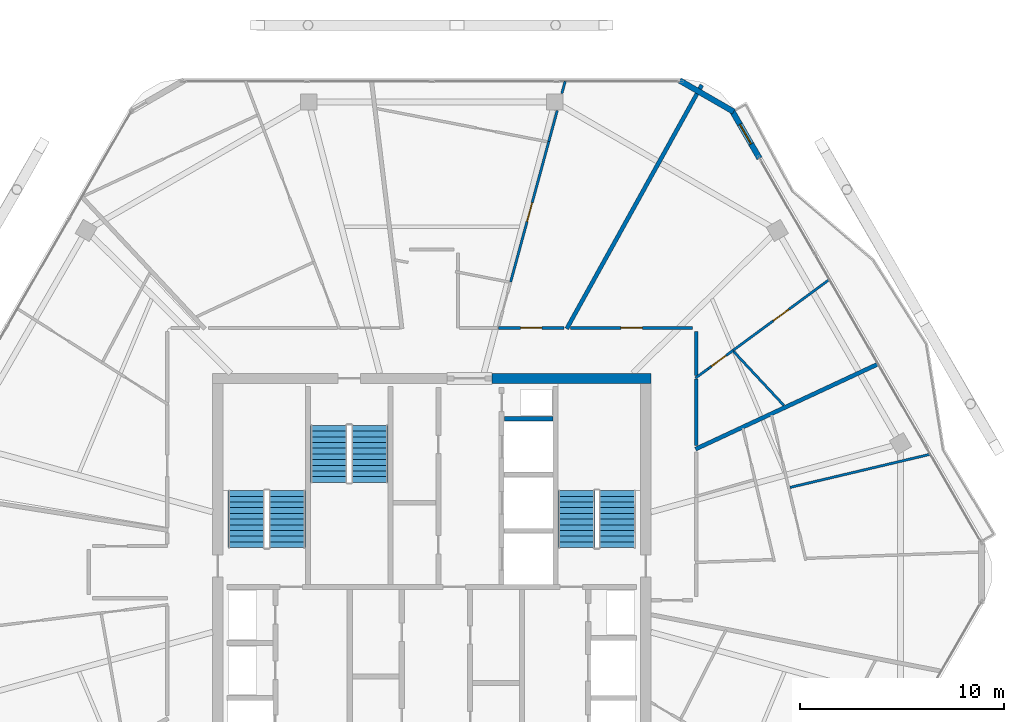
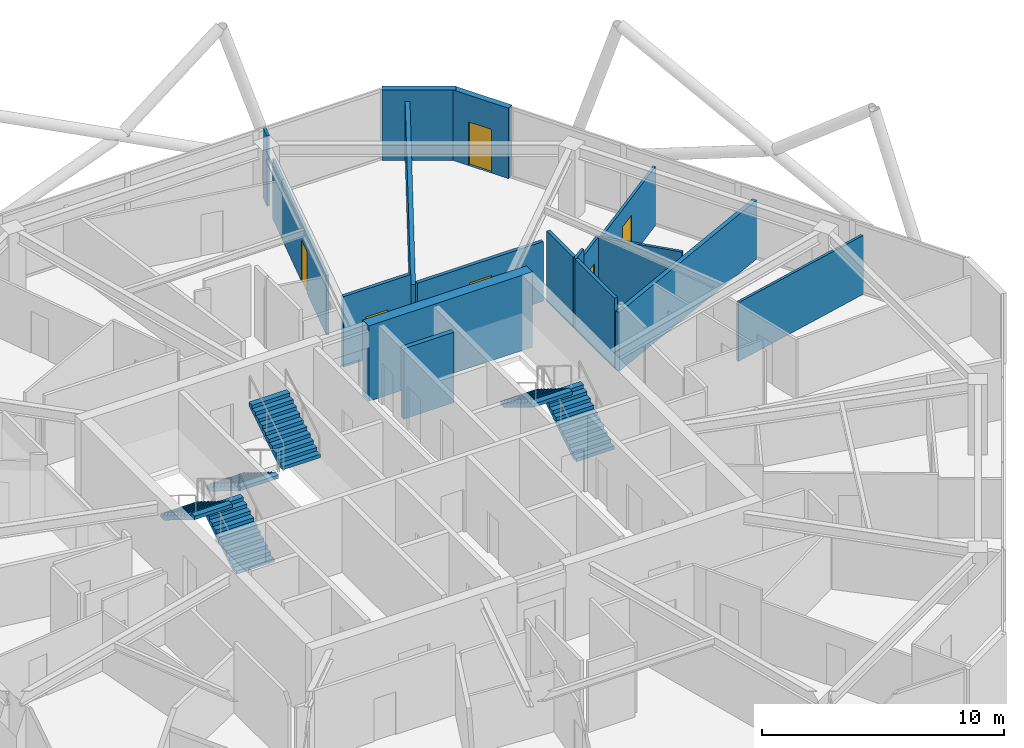
# One storey, part 20 of 23: 18 walls, 6 doors, 6 stair flights, 6 openings, 3 elements without a shape of their own.
"""IFC4 building model written with IfcOpenShell, lengths in metres."""

from ifc_helpers import new_model, si_unit, direction, frame, frame_2d, origin, place, context, subcontext, project, spatial, polyline, rectangle, outline, extrude, material, layer, layer_set, type_object, element, fill, aggregate, save


model = new_model("IFC4")

# Units and contexts
model_context = context("Model", 3, precision=1e-05, world=origin(), true_north=direction((0.0, 1.0)))
body_context = subcontext(model_context, "Body", "Model", "MODEL_VIEW")
ifc_project = project(units=[si_unit("LENGTHUNIT", "METRE"), si_unit("AREAUNIT", "SQUARE_METRE"), si_unit("VOLUMEUNIT", "CUBIC_METRE"), si_unit("PLANEANGLEUNIT", "RADIAN"), si_unit("MASSUNIT", "GRAM", prefix="KILO")], contexts=[model_context])

# Site, building, storey
site_placement = place(None, origin())
site = spatial("IfcSite", under=ifc_project, at=site_placement, CompositionType="ELEMENT")
building_placement = place(site_placement, origin())
building = spatial("IfcBuilding", under=site, at=building_placement, Name="Zuhravey Tower", CompositionType="ELEMENT")
storey_placement = place(building_placement, frame((0.0, 0.0, 331.0)))
storey = spatial("IfcBuildingStorey", under=building, at=storey_placement, Name="L84", CompositionType="ELEMENT", Elevation=331.0)

# Wall
ifc_material_1 = material(Name="Concrete C50/60", Category="concrete")
ifc_layer_1 = layer(ifc_material_1, 0.5)
ifc_layer_set_1 = layer_set([ifc_layer_1], Name="Concrete C50/60")
wall_type_1 = type_object("IfcWallType", Name="Core Shear Wall 500", PredefinedType="SHEAR", material=ifc_layer_set_1)
wall_1_placement = place(storey_placement, frame((46.75, 41.5, 0.0), z_axis=(0.0, 0.0, 1.0), x_axis=(-1.0, 0.0, 0.0)))
element("IfcWall", 1, at=wall_1_placement, inside=storey, type_object=wall_type_1, Name="L84 North-East Core Shear Wall CW50", PredefinedType="SHEAR", context=body_context, shape_type="SweptSolid", body=[
    extrude(rectangle(XDim=7.800048828125, YDim=0.5, at=frame_2d((3.89990234375, 0.0))), origin(), (0.0, 0.0, 1.0), 3.800048828125),
])

# Wall, opening, door
ifc_material_2 = material(Name="Gypsum fire-rated stud partition")
ifc_layer_2 = layer(ifc_material_2, 0.159912109375)
ifc_layer_set_2 = layer_set([ifc_layer_2], Name="Gypsum fire-rated stud partition")
wall_type_2 = type_object("IfcWallType", Name="Corridor Fire Partition 160", PredefinedType="PARTITIONING", material=ifc_layer_set_2)
wall_2_placement = place(storey_placement, frame((48.800048828125, 43.97998046875, 0.0), z_axis=(0.0, 0.0, 1.0), x_axis=(-1.0, 0.0, 0.0)))
wall_2 = element("IfcWall", 2, at=wall_2_placement, inside=storey, type_object=wall_type_2, Name="L84 IW16 Partition 050", PredefinedType="PARTITIONING", context=body_context, shape_type="SweptSolid", body=[
    extrude(rectangle(XDim=5.999267578125, YDim=0.159912109375, at=frame_2d((2.99951171875, 0.0))), origin(), (0.0, 0.0, 1.0), 3.0),
])
opening_1_placement = place(wall_2_placement, frame((2.474609375, 0.0, 0.0)))
opening_1 = element("IfcOpeningElement", 3, at=opening_1_placement, cuts=wall_2, Name="Opening APD1", PredefinedType="OPENING", context=body_context, shape_type="SweptSolid", body=[
    extrude(rectangle(XDim=1.050048828125, YDim=2.14990234375, at=frame_2d((0.52490234375, 1.074951171875))), frame((0.0, 0.092041015625, 0.0), z_axis=(0.0, -1.0, 0.0), x_axis=(1.0, 0.0, 0.0)), (0.0, 0.0, 1.0), 0.183837890625),
])
ifc_material_3 = material(Name="Solid-core oak fire-rated leaf")
door_type_1 = type_object("IfcDoorType", Name="Apartment Entrance Fire Door 1050x2150", OperationType="NOTDEFINED", PredefinedType="DOOR", material=ifc_material_3)
door_1_placement = place(opening_1_placement, frame((1.050048828125, 0.0, 0.0), z_axis=(0.0, 0.0, 1.0), x_axis=(-1.0, 0.0, 0.0)))
door_1 = element("IfcDoor", 4, at=door_1_placement, inside=storey, type_object=door_type_1, Name="L84 Door 050.1", OperationType="SINGLE_SWING_LEFT", OverallHeight=2.14990234375, OverallWidth=1.050048828125, PredefinedType="DOOR", context=body_context, shape_type="SweptSolid", body=[
    extrude(rectangle(XDim=1.050048828125, YDim=2.14990234375, at=frame_2d((0.52490234375, 1.074951171875))), frame((0.0, 0.02490234375, 0.0), z_axis=(0.0, -1.0, 0.0), x_axis=(1.0, 0.0, 0.0)), (0.0, 0.0, 1.0), 0.050048828125),
])
fill(opening_1, door_1)

wall_3_placement = place(storey_placement, frame((42.48193359375, 43.97998046875, 0.0), z_axis=(0.0, 0.0, 1.0), x_axis=(-1.0, 0.0, 0.0)))
wall_3 = element("IfcWall", 5, at=wall_3_placement, inside=storey, type_object=wall_type_2, Name="L84 IW16 Partition 054", PredefinedType="PARTITIONING", context=body_context, shape_type="SweptSolid", body=[
    extrude(rectangle(XDim=3.206298828125, YDim=0.159912109375, at=frame_2d((1.60302734375, 0.0))), origin(), (0.0, 0.0, 1.0), 3.550048828125),
])
opening_2_placement = place(wall_3_placement, frame((1.078125, 0.0, 0.0)))
opening_2 = element("IfcOpeningElement", 6, at=opening_2_placement, cuts=wall_3, Name="Opening APD1", PredefinedType="OPENING", context=body_context, shape_type="SweptSolid", body=[
    extrude(rectangle(XDim=1.050048828125, YDim=2.14990234375, at=frame_2d((0.52490234375, 1.074951171875))), frame((0.0, 0.092041015625, 0.0), z_axis=(0.0, -1.0, 0.0), x_axis=(1.0, 0.0, 0.0)), (0.0, 0.0, 1.0), 0.183837890625),
])
door_2_placement = place(opening_2_placement, frame((1.050048828125, 0.0, 0.0), z_axis=(0.0, 0.0, 1.0), x_axis=(-1.0, 0.0, 0.0)))
door_2 = element("IfcDoor", 7, at=door_2_placement, inside=storey, type_object=door_type_1, Name="L84 Door 054.1", OperationType="SINGLE_SWING_LEFT", OverallHeight=2.14990234375, OverallWidth=1.050048828125, PredefinedType="DOOR", context=body_context, shape_type="SweptSolid", body=[
    extrude(rectangle(XDim=1.050048828125, YDim=2.14990234375, at=frame_2d((0.52490234375, 1.074951171875))), frame((0.0, 0.02490234375, 0.0), z_axis=(0.0, -1.0, 0.0), x_axis=(1.0, 0.0, 0.0)), (0.0, 0.0, 1.0), 0.050048828125),
])
fill(opening_2, door_2)

# Walls
wall_4_placement = place(storey_placement, frame((48.97998046875, 41.63671875, 0.0), z_axis=(0.0, 0.0, 1.0), x_axis=(0.0, 1.0, 0.0)))
element("IfcWall", 8, at=wall_4_placement, inside=storey, type_object=wall_type_2, Name="L84 IW16 Partition 121", PredefinedType="PARTITIONING", context=body_context, shape_type="SweptSolid", body=[
    extrude(rectangle(XDim=2.163330078125, YDim=0.159912109375, at=frame_2d((1.08154296875, 0.0))), origin(), (0.0, 0.0, 1.0), 3.550048828125),
])
wall_5_placement = place(storey_placement, frame((48.97998046875, 38.21337890625, 0.0), z_axis=(0.0, 0.0, 1.0), x_axis=(0.0, 1.0, 0.0)))
element("IfcWall", 9, at=wall_5_placement, inside=storey, type_object=wall_type_2, Name="L84 IW16 Partition 122", PredefinedType="PARTITIONING", context=body_context, shape_type="SweptSolid", body=[
    extrude(rectangle(XDim=3.25439453125, YDim=0.159912109375, at=frame_2d((1.627197265625, 0.0))), origin(), (0.0, 0.0, 1.0), 3.550048828125),
])
ifc_material_4 = material(Name="Precast concrete C40/50", Category="concrete")
ifc_layer_3 = layer(ifc_material_4, 0.280029296875)
ifc_layer_set_3 = layer_set([ifc_layer_3], Name="Precast concrete C40/50")
wall_type_3 = type_object("IfcWallType", Name="Crown Architectural Wall 280", PredefinedType="SOLIDWALL", material=ifc_layer_set_3)
wall_6_placement = place(storey_placement, frame((48.156982421875, 56.12158203125, 0.0), z_axis=(0.0, 0.0, 1.0), x_axis=(0.866023752521, -0.50000286006, 0.0)))
element("IfcWall", 10, at=wall_6_placement, inside=storey, type_object=wall_type_3, Name="L84 Rounded Corner Closure Wall EW28-10", PredefinedType="SOLIDWALL", context=body_context, shape_type="SweptSolid", body=[
    extrude(rectangle(XDim=3.06494140625, YDim=0.280029296875, at=frame_2d((1.532470703125, 0.0))), origin(), (0.0, 0.0, 1.0), 3.550048828125),
])

# Wall, opening, door
wall_7_placement = place(storey_placement, frame((50.70654296875, 54.675537109375, 0.0), z_axis=(0.0, 0.0, 1.0), x_axis=(0.500031070095, -0.866007464714, 0.0)))
wall_7 = element("IfcWall", 11, at=wall_7_placement, inside=storey, type_object=wall_type_3, Name="L84 Face 1 Facade Pier EW28-1", PredefinedType="SOLIDWALL", context=body_context, shape_type="SweptSolid", body=[
    extrude(rectangle(XDim=2.739013671875, YDim=0.280029296875, at=frame_2d((1.36962890625, 0.0))), origin(), (0.0, 0.0, 1.0), 3.550048828125),
])
opening_3_placement = place(wall_7_placement, frame((0.819580078125, 0.0, 0.0)))
opening_3 = element("IfcOpeningElement", 12, at=opening_3_placement, cuts=wall_7, Name="Opening BLD1", PredefinedType="OPENING", context=body_context, shape_type="SweptSolid", body=[
    extrude(rectangle(XDim=1.10009765625, YDim=2.199951171875, at=frame_2d((0.550048828125, 1.10009765625))), frame((0.0, 0.152099609375, 0.0), z_axis=(0.0, -1.0, 0.0), x_axis=(1.0, 0.0, 0.0)), (0.0, 0.0, 1.0), 0.303955078125),
])
ifc_material_5 = material(Name="Thermally broken aluminium and low-E glass", Category="aluminium")
door_type_2 = type_object("IfcDoorType", Name="Balcony & Sky-Tray Glazed Door 1100x2200", OperationType="NOTDEFINED", PredefinedType="DOOR", material=ifc_material_5)
door_3_placement = place(opening_3_placement, frame((1.10009765625, 0.0, 0.0), z_axis=(0.0, 0.0, 1.0), x_axis=(-1.0, 0.0, 0.0)))
door_3 = element("IfcDoor", 13, at=door_3_placement, inside=storey, type_object=door_type_2, Name="L84 Face 1 Wave Balcony Door", OperationType="SINGLE_SWING_RIGHT", OverallHeight=2.199951171875, OverallWidth=1.10009765625, PredefinedType="DOOR", context=body_context, shape_type="SweptSolid", body=[
    extrude(rectangle(XDim=1.10009765625, YDim=2.199951171875, at=frame_2d((0.550048828125, 1.10009765625))), frame((0.0, 0.02490234375, 0.0), z_axis=(0.0, -1.0, 0.0), x_axis=(1.0, 0.0, 0.0)), (0.0, 0.0, 1.0), 0.050048828125),
])
fill(opening_3, door_3)

# Walls
ifc_material_6 = material(Name="Gypsum double-stud party assembly")
ifc_layer_4 = layer(ifc_material_6, 0.199951171875)
ifc_layer_set_4 = layer_set([ifc_layer_4], Name="Gypsum double-stud party assembly")
wall_type_4 = type_object("IfcWallType", Name="Inter-Tenancy Party Wall 200", PredefinedType="PARTITIONING", material=ifc_layer_set_4)
wall_8_placement = place(storey_placement, frame((48.93994140625, 38.033935546875, 0.0), z_axis=(0.0, 0.0, 1.0), x_axis=(0.906309881833, 0.422613769406, 0.0)))
element("IfcWall", 14, at=wall_8_placement, inside=storey, type_object=wall_type_4, Name="L84 IW20 Partition 091", PredefinedType="PARTITIONING", context=body_context, shape_type="SweptSolid", body=[
    extrude(rectangle(XDim=9.888427734375, YDim=0.199951171875, at=frame_2d((4.9443359375, 0.0))), origin(), (0.0, 0.0, 1.0), 2.969970703125),
])
wall_9_placement = place(storey_placement, frame((42.618408203125, 43.93994140625, 0.0), z_axis=(0.0, 0.0, 1.0), x_axis=(0.484817892783, 0.874615121546, 0.0)))
element("IfcWall", 15, at=wall_9_placement, inside=storey, type_object=wall_type_4, Name="L84 IW20 Partition 094", PredefinedType="PARTITIONING", context=body_context, shape_type="SweptSolid", body=[
    extrude(rectangle(XDim=13.67138671875, YDim=0.199951171875, at=frame_2d((6.835693359375, 0.0))), origin(), (0.0, 0.0, 1.0), 2.969970703125),
])
ifc_material_7 = material(Name="Gypsum acoustic stud assembly")
ifc_layer_5 = layer(ifc_material_7, 0.219970703125)
ifc_layer_set_5 = layer_set([ifc_layer_5], Name="Gypsum acoustic stud assembly")
wall_type_5 = type_object("IfcWallType", Name="School Acoustic Compartment Wall 220", PredefinedType="PARTITIONING", material=ifc_layer_set_5)
wall_10_placement = place(storey_placement, frame((39.55810546875, 39.52490234375, 0.0), z_axis=(0.0, 0.0, 1.0), x_axis=(1.0, 0.0, 0.0)))
element("IfcWall", 16, at=wall_10_placement, inside=storey, type_object=wall_type_5, Name="L84 IW22 Partition 062", PredefinedType="PARTITIONING", context=body_context, shape_type="SweptSolid", body=[
    extrude(rectangle(XDim=2.3837890625, YDim=0.219970703125, at=frame_2d((1.19189453125, 0.0))), origin(), (0.0, 0.0, 1.0), 3.550048828125),
])

# Wall, opening, door
ifc_material_8 = material(Name="Gypsum metal-stud partition")
ifc_layer_6 = layer(ifc_material_8, 0.1201171875)
ifc_layer_set_6 = layer_set([ifc_layer_6], Name="Gypsum metal-stud partition")
wall_type_6 = type_object("IfcWallType", Name="Unit Internal Partition 120", PredefinedType="PARTITIONING", material=ifc_layer_set_6)
wall_11_placement = place(storey_placement, frame((49.550048828125, 41.9716796875, 0.0), z_axis=(0.0, 0.0, 1.0), x_axis=(0.805387500531, 0.592748660047, 0.0)))
wall_11 = element("IfcWall", 17, at=wall_11_placement, inside=storey, type_object=wall_type_6, Name="L84 IW12 Partition 048", PredefinedType="PARTITIONING", context=body_context, shape_type="SweptSolid", body=[
    extrude(rectangle(XDim=1.53515625, YDim=0.1201171875, at=frame_2d((0.767578125, 0.0))), origin(), (0.0, 0.0, 1.0), 3.199951171875),
])
opening_4_placement = place(wall_11_placement, frame((0.199951171875, 0.0, 0.0)))
opening_4 = element("IfcOpeningElement", 18, at=opening_4_placement, cuts=wall_11, Name="Opening WCD1", PredefinedType="OPENING", context=body_context, shape_type="SweptSolid", body=[
    extrude(rectangle(XDim=0.89990234375, YDim=2.10009765625, at=frame_2d((0.449951171875, 1.050048828125))), frame((0.0, 0.072021484375, 0.0), z_axis=(0.0, -1.0, 0.0), x_axis=(1.0, 0.0, 0.0)), (0.0, 0.0, 1.0), 0.14404296875),
])
ifc_material_9 = material(Name="Moisture-resistant timber leaf", Category="wood")
door_type_3 = type_object("IfcDoorType", Name="Bathroom & WC Internal Door 900x2100", OperationType="NOTDEFINED", PredefinedType="DOOR", material=ifc_material_9)
door_4_placement = place(opening_4_placement, frame((0.89990234375, 0.0, 0.0), z_axis=(0.0, 0.0, 1.0), x_axis=(-1.0, 0.0, 0.0)))
door_4 = element("IfcDoor", 19, at=door_4_placement, inside=storey, type_object=door_type_3, Name="Apartment L84-08 Bathroom Door", OperationType="SINGLE_SWING_LEFT", OverallHeight=2.10009765625, OverallWidth=0.89990234375, PredefinedType="DOOR", context=body_context, shape_type="SweptSolid", body=[
    extrude(rectangle(XDim=0.89990234375, YDim=2.10009765625, at=frame_2d((0.449951171875, 1.050048828125))), frame((0.0, 0.02490234375, 0.0), z_axis=(0.0, -1.0, 0.0), x_axis=(1.0, 0.0, 0.0)), (0.0, 0.0, 1.0), 0.050048828125),
])
fill(opening_4, door_4)

wall_12_placement = place(storey_placement, frame((50.786376953125, 42.881591796875, 0.0), z_axis=(0.0, 0.0, 1.0), x_axis=(0.805413284852, 0.592713624429, 0.0)))
wall_12 = element("IfcWall", 20, at=wall_12_placement, inside=storey, type_object=wall_type_6, Name="L84 IW12 Partition 049", PredefinedType="PARTITIONING", context=body_context, shape_type="SweptSolid", body=[
    extrude(rectangle(XDim=5.868896484375, YDim=0.1201171875, at=frame_2d((2.9345703125, 0.0))), origin(), (0.0, 0.0, 1.0), 2.969970703125),
])
opening_5_placement = place(wall_12_placement, frame((2.434326171875, 0.0, 0.0)))
opening_5 = element("IfcOpeningElement", 21, at=opening_5_placement, cuts=wall_12, Name="Opening IND1", PredefinedType="OPENING", context=body_context, shape_type="SweptSolid", body=[
    extrude(rectangle(XDim=0.949951171875, YDim=2.10009765625, at=frame_2d((0.47509765625, 1.050048828125))), frame((0.0, 0.072021484375, 0.0), z_axis=(0.0, -1.0, 0.0), x_axis=(1.0, 0.0, 0.0)), (0.0, 0.0, 1.0), 0.14404296875),
])
ifc_material_10 = material(Name="Painted engineered timber leaf", Category="wood")
door_type_4 = type_object("IfcDoorType", Name="Internal Room & Bedroom Door 950x2100", OperationType="NOTDEFINED", PredefinedType="DOOR", material=ifc_material_10)
door_5_placement = place(opening_5_placement, frame((0.949951171875, 0.0, 0.0), z_axis=(0.0, 0.0, 1.0), x_axis=(-1.0, 0.0, 0.0)))
door_5 = element("IfcDoor", 22, at=door_5_placement, inside=storey, type_object=door_type_4, Name="Apartment L84-08 Bedroom 1 Door", OperationType="SINGLE_SWING_RIGHT", OverallHeight=2.10009765625, OverallWidth=0.949951171875, PredefinedType="DOOR", context=body_context, shape_type="SweptSolid", body=[
    extrude(rectangle(XDim=0.949951171875, YDim=2.10009765625, at=frame_2d((0.47509765625, 1.050048828125))), frame((0.0, 0.02490234375, 0.0), z_axis=(0.0, -1.0, 0.0), x_axis=(1.0, 0.0, 0.0)), (0.0, 0.0, 1.0), 0.050048828125),
])
fill(opening_5, door_5)

wall_13_placement = place(storey_placement, frame((39.868896484375, 46.239501953125, 0.0), z_axis=(0.0, 0.0, 1.0), x_axis=(0.262173652668, 0.965020712652, 0.0)))
wall_13 = element("IfcWall", 23, at=wall_13_placement, inside=storey, type_object=wall_type_6, Name="L84 IW12 Partition 052", PredefinedType="PARTITIONING", context=body_context, shape_type="SweptSolid", body=[
    extrude(rectangle(XDim=7.136962890625, YDim=0.1201171875, at=frame_2d((3.568359375, 0.0))), origin(), (0.0, 0.0, 1.0), 3.0),
])
opening_6_placement = place(wall_13_placement, frame((3.068359375, 0.0, 0.0)))
opening_6 = element("IfcOpeningElement", 24, at=opening_6_placement, cuts=wall_13, Name="Opening IND1", PredefinedType="OPENING", context=body_context, shape_type="SweptSolid", body=[
    extrude(rectangle(XDim=0.949951171875, YDim=2.10009765625, at=frame_2d((0.47509765625, 1.050048828125))), frame((0.0, 0.072021484375, 0.0), z_axis=(0.0, -1.0, 0.0), x_axis=(1.0, 0.0, 0.0)), (0.0, 0.0, 1.0), 0.14404296875),
])
door_6_placement = place(opening_6_placement, origin())
door_6 = element("IfcDoor", 25, at=door_6_placement, inside=storey, type_object=door_type_4, Name="Apartment L84-09 Home Office Door", OperationType="SINGLE_SWING_LEFT", OverallHeight=2.10009765625, OverallWidth=0.949951171875, PredefinedType="DOOR", context=body_context, shape_type="SweptSolid", body=[
    extrude(rectangle(XDim=0.949951171875, YDim=2.10009765625, at=frame_2d((0.47509765625, 1.050048828125))), frame((0.0, 0.02490234375, 0.0), z_axis=(0.0, -1.0, 0.0), x_axis=(1.0, 0.0, 0.0)), (0.0, 0.0, 1.0), 0.050048828125),
])
fill(opening_6, door_6)

# Walls
wall_14_placement = place(storey_placement, frame((53.575439453125, 36.154541015625, 0.0), z_axis=(0.0, 0.0, 1.0), x_axis=(0.973178020357, 0.23005334315, 0.0)))
element("IfcWall", 26, at=wall_14_placement, inside=storey, type_object=wall_type_6, Name="L84 IW12 Partition 088", PredefinedType="PARTITIONING", context=body_context, shape_type="SweptSolid", body=[
    extrude(rectangle(XDim=7.084716796875, YDim=0.1201171875, at=frame_2d((3.54248046875, 0.0))), origin(), (0.0, 0.0, 1.0), 2.969970703125),
])
wall_15_placement = place(storey_placement, frame((48.93505859375, 41.51904296875, 0.0), z_axis=(0.0, 0.0, 1.0), x_axis=(0.805377162159, 0.592762706885, 0.0)))
element("IfcWall", 27, at=wall_15_placement, inside=storey, type_object=wall_type_6, Name="L84 IW12 Partition 092", PredefinedType="PARTITIONING", context=body_context, shape_type="SweptSolid", body=[
    extrude(rectangle(XDim=0.763671875, YDim=0.1201171875, at=frame_2d((0.3818359375, 0.0))), origin(), (0.0, 0.0, 1.0), 3.550048828125),
])
wall_16_placement = place(storey_placement, frame((53.27587890625, 40.175048828125, 0.0), z_axis=(0.0, 0.0, 1.0), x_axis=(-0.681968956902, 0.731381119405, 0.0)))
element("IfcWall", 28, at=wall_16_placement, inside=storey, type_object=wall_type_6, Name="L84 IW12 Partition 093", PredefinedType="PARTITIONING", context=body_context, shape_type="SweptSolid", body=[
    extrude(rectangle(XDim=3.61181640625, YDim=0.1201171875, at=frame_2d((1.805908203125, 0.0))), origin(), (0.0, 0.0, 1.0), 3.199951171875),
])
wall_17_placement = place(storey_placement, frame((41.739990234375, 53.126708984375, 0.0), z_axis=(0.0, 0.0, 1.0), x_axis=(0.262250179099, 0.964999918944, 0.0)))
element("IfcWall", 29, at=wall_17_placement, inside=storey, type_object=wall_type_6, Name="L84 IW12 Partition 096", PredefinedType="PARTITIONING", context=body_context, shape_type="SweptSolid", body=[
    extrude(rectangle(XDim=1.572265625, YDim=0.1201171875, at=frame_2d((0.7861328125, 0.0))), origin(), (0.0, 0.0, 1.0), 3.0),
])
wall_18_placement = place(storey_placement, frame((42.380615234375, 55.484130859375, 0.0), z_axis=(0.0, 0.0, 1.0), x_axis=(0.262177554605, 0.965019652578, 0.0)))
element("IfcWall", 30, at=wall_18_placement, inside=storey, type_object=wall_type_6, Name="L84 IW12 Partition 097", PredefinedType="PARTITIONING", context=body_context, shape_type="SweptSolid", body=[
    extrude(rectangle(XDim=0.615478515625, YDim=0.1201171875, at=frame_2d((0.3076171875, 0.0))), origin(), (0.0, 0.0, 1.0), 3.550048828125),
])

# Stair, stair flights
ifc_material_11 = material(Name="Concrete C40/50", Category="concrete")
stair_type = type_object("IfcStairType", Name="Housing Storey Stair Assembly 3800", PredefinedType="HALF_TURN_STAIR", material=ifc_material_11)
stair_1_placement = place(storey_placement, origin())
stair_1 = element("IfcStair", 31, at=stair_1_placement, inside=storey, type_object=stair_type, Name="L84 Core Exit Stair ST1", PredefinedType="HALF_TURN_STAIR")
stair_flight_type = type_object("IfcStairFlightType", Name="Housing Storey Stair Flight 3800", PredefinedType="STRAIGHT", material=ifc_material_11)
stair_flight_1_placement = place(storey_placement, frame((28.89990234375, 33.199951171875, 0.0), z_axis=(0.0, 0.0, 1.0), x_axis=(0.0, 1.0, 0.0)))
stair_flight_1 = element("IfcStairFlight", 32, at=stair_flight_1_placement, type_object=stair_flight_type, Name="ST1 flight 1", NumberOfRisers=11, NumberOfTreads=10, PredefinedType="STRAIGHT", RiserHeight=0.172727273, TreadLength=0.28, context=body_context, shape_type="SweptSolid", body=[
    extrude(outline(polyline([(0.0, 0.0), (0.0, 0.172607421875), (0.280029296875, 0.172607421875), (0.280029296875, 0.345458984375), (0.56005859375, 0.345458984375), (0.56005859375, 0.51806640625), (0.840087890625, 0.51806640625), (0.840087890625, 0.69091796875), (1.1201171875, 0.69091796875), (1.1201171875, 0.863525390625), (1.39990234375, 0.863525390625), (1.39990234375, 1.036376953125), (1.679931640625, 1.036376953125), (1.679931640625, 1.208984375), (1.9599609375, 1.208984375), (1.9599609375, 1.3818359375), (2.239990234375, 1.3818359375), (2.239990234375, 1.554443359375), (2.52001953125, 1.554443359375), (2.52001953125, 1.727294921875), (2.800048828125, 1.727294921875), (2.800048828125, 1.89990234375), (2.800048828125, 1.551025390625), (0.285400390625, 0.0), (0.0, 0.0)])), frame((0.0, 0.89990234375, 0.0), z_axis=(0.0, -1.0, 0.0), x_axis=(1.0, 0.0, 0.0)), (0.0, 0.0, 1.0), 1.800048828125),
])
stair_flight_2_placement = place(storey_placement, frame((26.89990234375, 36.0, 1.89990234375), z_axis=(0.0, 0.0, 1.0), x_axis=(0.0, -1.0, 0.0)))
stair_flight_2 = element("IfcStairFlight", 33, at=stair_flight_2_placement, type_object=stair_flight_type, Name="ST1 flight 2", NumberOfRisers=11, NumberOfTreads=10, PredefinedType="STRAIGHT", RiserHeight=0.172727273, TreadLength=0.28, context=body_context, shape_type="SweptSolid", body=[
    extrude(outline(polyline([(0.0, 0.0), (0.0, 0.172607421875), (0.280029296875, 0.172607421875), (0.280029296875, 0.345458984375), (0.56005859375, 0.345458984375), (0.56005859375, 0.51806640625), (0.840087890625, 0.51806640625), (0.840087890625, 0.69091796875), (1.1201171875, 0.69091796875), (1.1201171875, 0.863525390625), (1.39990234375, 0.863525390625), (1.39990234375, 1.036376953125), (1.679931640625, 1.036376953125), (1.679931640625, 1.208984375), (1.9599609375, 1.208984375), (1.9599609375, 1.3818359375), (2.239990234375, 1.3818359375), (2.239990234375, 1.554443359375), (2.52001953125, 1.554443359375), (2.52001953125, 1.727294921875), (2.800048828125, 1.727294921875), (2.800048828125, 1.89990234375), (2.800048828125, 1.551025390625), (0.285400390625, 0.0), (0.0, 0.0)])), frame((0.0, 0.89990234375, 0.0), z_axis=(0.0, -1.0, 0.0), x_axis=(1.0, 0.0, 0.0)), (0.0, 0.0, 1.0), 1.800048828125),
])
aggregate(stair_1, [stair_flight_1, stair_flight_2])

stair_2_placement = place(storey_placement, origin())
stair_2 = element("IfcStair", 34, at=stair_2_placement, inside=storey, type_object=stair_type, Name="L84 Core Exit Stair ST2", PredefinedType="HALF_TURN_STAIR")
stair_flight_3_placement = place(storey_placement, frame((45.10009765625, 33.199951171875, 0.0), z_axis=(0.0, 0.0, 1.0), x_axis=(0.0, 1.0, 0.0)))
stair_flight_3 = element("IfcStairFlight", 35, at=stair_flight_3_placement, type_object=stair_flight_type, Name="ST2 flight 1", NumberOfRisers=11, NumberOfTreads=10, PredefinedType="STRAIGHT", RiserHeight=0.172727273, TreadLength=0.28, context=body_context, shape_type="SweptSolid", body=[
    extrude(outline(polyline([(0.0, 0.0), (0.0, 0.172607421875), (0.280029296875, 0.172607421875), (0.280029296875, 0.345458984375), (0.56005859375, 0.345458984375), (0.56005859375, 0.51806640625), (0.840087890625, 0.51806640625), (0.840087890625, 0.69091796875), (1.1201171875, 0.69091796875), (1.1201171875, 0.863525390625), (1.39990234375, 0.863525390625), (1.39990234375, 1.036376953125), (1.679931640625, 1.036376953125), (1.679931640625, 1.208984375), (1.9599609375, 1.208984375), (1.9599609375, 1.3818359375), (2.239990234375, 1.3818359375), (2.239990234375, 1.554443359375), (2.52001953125, 1.554443359375), (2.52001953125, 1.727294921875), (2.800048828125, 1.727294921875), (2.800048828125, 1.89990234375), (2.800048828125, 1.551025390625), (0.285400390625, 0.0), (0.0, 0.0)])), frame((0.0, 0.89990234375, 0.0), z_axis=(0.0, -1.0, 0.0), x_axis=(1.0, 0.0, 0.0)), (0.0, 0.0, 1.0), 1.800048828125),
])
stair_flight_4_placement = place(storey_placement, frame((43.10009765625, 36.0, 1.89990234375), z_axis=(0.0, 0.0, 1.0), x_axis=(0.0, -1.0, 0.0)))
stair_flight_4 = element("IfcStairFlight", 36, at=stair_flight_4_placement, type_object=stair_flight_type, Name="ST2 flight 2", NumberOfRisers=11, NumberOfTreads=10, PredefinedType="STRAIGHT", RiserHeight=0.172727273, TreadLength=0.28, context=body_context, shape_type="SweptSolid", body=[
    extrude(outline(polyline([(0.0, 0.0), (0.0, 0.172607421875), (0.280029296875, 0.172607421875), (0.280029296875, 0.345458984375), (0.56005859375, 0.345458984375), (0.56005859375, 0.51806640625), (0.840087890625, 0.51806640625), (0.840087890625, 0.69091796875), (1.1201171875, 0.69091796875), (1.1201171875, 0.863525390625), (1.39990234375, 0.863525390625), (1.39990234375, 1.036376953125), (1.679931640625, 1.036376953125), (1.679931640625, 1.208984375), (1.9599609375, 1.208984375), (1.9599609375, 1.3818359375), (2.239990234375, 1.3818359375), (2.239990234375, 1.554443359375), (2.52001953125, 1.554443359375), (2.52001953125, 1.727294921875), (2.800048828125, 1.727294921875), (2.800048828125, 1.89990234375), (2.800048828125, 1.551025390625), (0.285400390625, 0.0), (0.0, 0.0)])), frame((0.0, 0.89990234375, 0.0), z_axis=(0.0, -1.0, 0.0), x_axis=(1.0, 0.0, 0.0)), (0.0, 0.0, 1.0), 1.800048828125),
])
aggregate(stair_2, [stair_flight_3, stair_flight_4])

stair_3_placement = place(storey_placement, origin())
stair_3 = element("IfcStair", 37, at=stair_3_placement, inside=storey, type_object=stair_type, Name="L84 Core Exit Stair ST3", PredefinedType="HALF_TURN_STAIR")
stair_flight_5_placement = place(storey_placement, frame((30.949951171875, 39.199951171875, 0.0), z_axis=(0.0, 0.0, 1.0), x_axis=(0.0, -1.0, 0.0)))
stair_flight_5 = element("IfcStairFlight", 38, at=stair_flight_5_placement, type_object=stair_flight_type, Name="ST3 flight 1", NumberOfRisers=11, NumberOfTreads=10, PredefinedType="STRAIGHT", RiserHeight=0.172727273, TreadLength=0.28, context=body_context, shape_type="SweptSolid", body=[
    extrude(outline(polyline([(0.0, 0.0), (0.0, 0.172607421875), (0.280029296875, 0.172607421875), (0.280029296875, 0.345458984375), (0.56005859375, 0.345458984375), (0.56005859375, 0.51806640625), (0.840087890625, 0.51806640625), (0.840087890625, 0.69091796875), (1.1201171875, 0.69091796875), (1.1201171875, 0.863525390625), (1.39990234375, 0.863525390625), (1.39990234375, 1.036376953125), (1.679931640625, 1.036376953125), (1.679931640625, 1.208984375), (1.9599609375, 1.208984375), (1.9599609375, 1.3818359375), (2.239990234375, 1.3818359375), (2.239990234375, 1.554443359375), (2.52001953125, 1.554443359375), (2.52001953125, 1.727294921875), (2.800048828125, 1.727294921875), (2.800048828125, 1.89990234375), (2.800048828125, 1.551025390625), (0.285400390625, 0.0), (0.0, 0.0)])), frame((0.0, 0.89990234375, 0.0), z_axis=(0.0, -1.0, 0.0), x_axis=(1.0, 0.0, 0.0)), (0.0, 0.0, 1.0), 1.800048828125),
])
stair_flight_6_placement = place(storey_placement, frame((32.949951171875, 36.39990234375, 1.89990234375), z_axis=(0.0, 0.0, 1.0), x_axis=(0.0, 1.0, 0.0)))
stair_flight_6 = element("IfcStairFlight", 39, at=stair_flight_6_placement, type_object=stair_flight_type, Name="ST3 flight 2", NumberOfRisers=11, NumberOfTreads=10, PredefinedType="STRAIGHT", RiserHeight=0.172727273, TreadLength=0.28, context=body_context, shape_type="SweptSolid", body=[
    extrude(outline(polyline([(0.0, 0.0), (0.0, 0.172607421875), (0.280029296875, 0.172607421875), (0.280029296875, 0.345458984375), (0.56005859375, 0.345458984375), (0.56005859375, 0.51806640625), (0.840087890625, 0.51806640625), (0.840087890625, 0.69091796875), (1.1201171875, 0.69091796875), (1.1201171875, 0.863525390625), (1.39990234375, 0.863525390625), (1.39990234375, 1.036376953125), (1.679931640625, 1.036376953125), (1.679931640625, 1.208984375), (1.9599609375, 1.208984375), (1.9599609375, 1.3818359375), (2.239990234375, 1.3818359375), (2.239990234375, 1.554443359375), (2.52001953125, 1.554443359375), (2.52001953125, 1.727294921875), (2.800048828125, 1.727294921875), (2.800048828125, 1.89990234375), (2.800048828125, 1.551025390625), (0.285400390625, 0.0), (0.0, 0.0)])), frame((0.0, 0.89990234375, 0.0), z_axis=(0.0, -1.0, 0.0), x_axis=(1.0, 0.0, 0.0)), (0.0, 0.0, 1.0), 1.800048828125),
])
aggregate(stair_3, [stair_flight_5, stair_flight_6])

save(model, "model.ifc")
